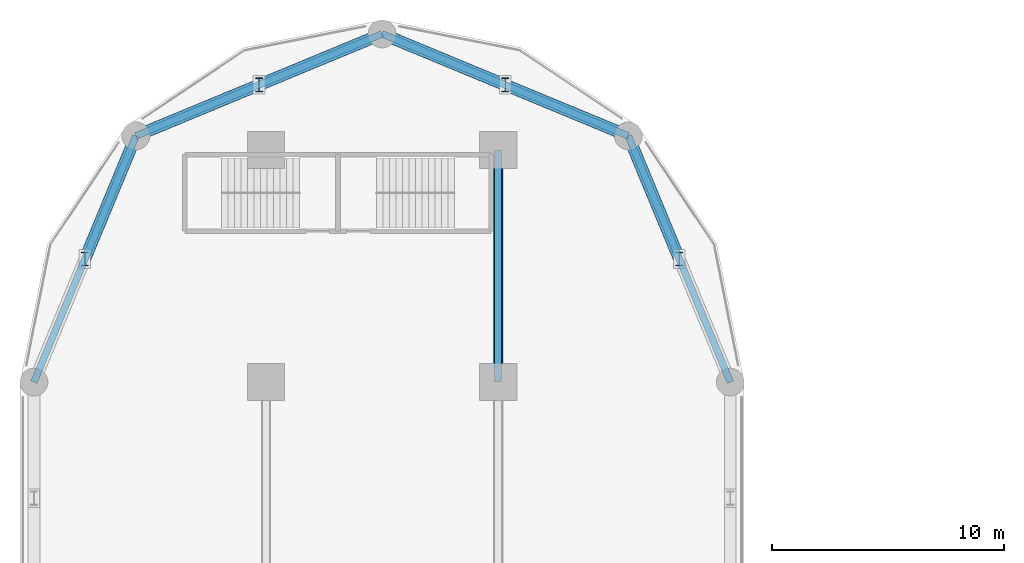
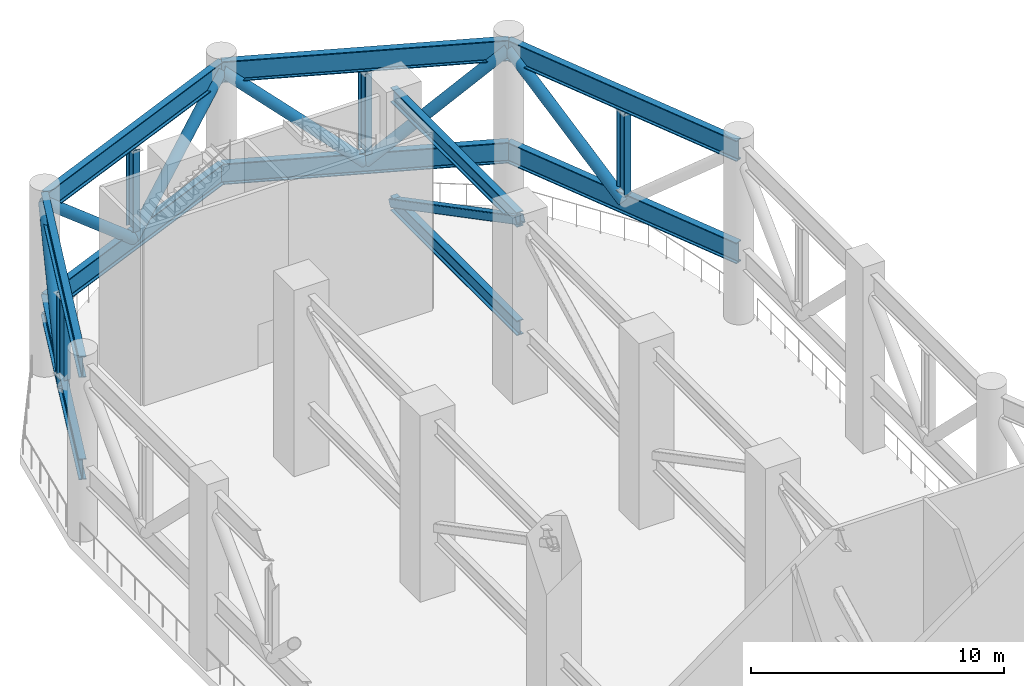
# One storey, part 6 of 14: 21 members.
"""IFC4 building model written with IfcOpenShell, lengths in metres."""

from ifc_helpers import new_model, si_unit, direction, frame, origin, origin_2d, place, context, subcontext, project, spatial, hollow_rectangle, hollow_circle, i_section, extrude, material, material_profile, profile_set, type_object, element, save


model = new_model("IFC4")

# Units and contexts
model_context = context("Model", 3, precision=1e-05, world=origin(), true_north=direction((0.0, 1.0)))
body_context = subcontext(model_context, "Body", "Model", "MODEL_VIEW")
ifc_project = project(units=[si_unit("LENGTHUNIT", "METRE"), si_unit("AREAUNIT", "SQUARE_METRE"), si_unit("VOLUMEUNIT", "CUBIC_METRE"), si_unit("PLANEANGLEUNIT", "RADIAN"), si_unit("MASSUNIT", "GRAM", prefix="KILO")], contexts=[model_context])

# Site, building, storey
site_placement = place(None, origin())
site = spatial("IfcSite", under=ifc_project, at=site_placement, CompositionType="ELEMENT")
building_placement = place(site_placement, origin())
building = spatial("IfcBuilding", under=site, at=building_placement, Name="Qaws Garden Tower", CompositionType="ELEMENT")
storey_placement = place(building_placement, frame((0.0, 0.0, 117.300048828125)))
storey = spatial("IfcBuildingStorey", under=building, at=storey_placement, Name="L29", CompositionType="ELEMENT", Elevation=117.300048828125)

# Members
ifc_material_1 = material(Name="Steel S355", Category="steel")
ifc_material_profile_1 = material_profile(ifc_material_1, i_section(OverallWidth=0.302001953125, OverallDepth=1.008056640625, WebThickness=0.02099609375, FlangeThickness=0.0400390625, FilletRadius=0.030029296875, at=origin_2d()), Name="HEM 1000")
ifc_profile_set_1 = profile_set([ifc_material_profile_1], Name="Steel S355")
member_type_1 = type_object("IfcMemberType", Name="Belt chord HEM 1000", PredefinedType="CHORD", material=ifc_profile_set_1)
for number, where, z_axis, x_axis, name in (
    (1, (30.0, 60.0, 8.0458984375), (-0.382674207535, 0.923883353507, 0.0), (-0.923883353507, -0.382674207535, 0.0), "Belt truss top chord 16"),
    (2, (30.0, 60.0, 3.10400390625), (-0.382674207535, 0.923883353507, 0.0), (-0.923883353507, -0.382674207535, 0.0), "Belt truss bottom chord 16"),
    (3, (25.606689453125, 70.606689453125, 8.0458984375), (-0.923883353507, 0.382674207535, 0.0), (-0.382674207535, -0.923883353507, 0.0), "Belt truss top chord 17"),
    (4, (25.606689453125, 70.606689453125, 3.10400390625), (-0.923883353507, 0.382674207535, 0.0), (-0.382674207535, -0.923883353507, 0.0), "Belt truss bottom chord 17"),
    (5, (15.0, 75.0, 8.0458984375), (-0.923883353507, -0.382674207535, 0.0), (0.382674207535, -0.923883353507, 0.0), "Belt truss top chord 18"),
    (6, (15.0, 75.0, 3.10400390625), (-0.923883353507, -0.382674207535, 0.0), (0.382674207535, -0.923883353507, 0.0), "Belt truss bottom chord 18"),
    (7, (4.393310546875, 70.606689453125, 8.0458984375), (-0.382674207535, -0.923883353507, 0.0), (0.923883353507, -0.382674207535, 0.0), "Belt truss top chord 19"),
    (8, (4.393310546875, 70.606689453125, 3.10400390625), (-0.382674207535, -0.923883353507, 0.0), (0.923883353507, -0.382674207535, 0.0), "Belt truss bottom chord 19"),
):
    element("IfcMember", number, at=place(storey_placement, frame(where, z_axis=z_axis, x_axis=x_axis)), inside=storey, type_object=member_type_1, Name=name, PredefinedType="CHORD", context=body_context, shape_type="SweptSolid", body=[
        extrude(i_section(OverallWidth=0.302001953125, OverallDepth=1.008056640625, WebThickness=0.02099609375, FlangeThickness=0.0400390625, FilletRadius=0.030029296875, at=origin_2d()), origin(), (0.0, 0.0, 1.0), 11.48046875),
    ])
ifc_material_2 = material(Name="Steel S355", Category="steel")
ifc_material_profile_2 = material_profile(ifc_material_2, hollow_circle(Radius=0.25390625, WallThickness=0.02490234375, at=origin_2d()), Name="CHS 508x25")
ifc_profile_set_2 = profile_set([ifc_material_profile_2], Name="Steel S355")
member_type_2 = type_object("IfcMemberType", Name="Belt diagonal CHS 508x25", PredefinedType="BRACE", material=ifc_profile_set_2)
for number, where, z_axis, x_axis, name in (
    (9, (27.80322265625, 65.30322265625, 3.10400390625), (-0.289988526042, 0.700169028699, 0.65243389398), (-0.92389398552, -0.382648537851, 0.0), "Belt truss diagonal 16b"),
    (10, (25.606689453125, 70.606689453125, 8.0458984375), (-0.700169028699, 0.289988526042, -0.65243389398), (-0.382648537851, -0.92389398552, 0.0), "Belt truss diagonal 17a"),
    (11, (20.30322265625, 72.80322265625, 3.10400390625), (-0.700146052841, 0.290024591818, 0.652442519179), (-0.382699877515, -0.923872720536, 0.0), "Belt truss diagonal 17b"),
    (12, (15.0, 75.0, 8.0458984375), (-0.700146052841, -0.290024591818, -0.652442519179), (0.382699877515, -0.923872720536, 0.0), "Belt truss diagonal 18a"),
    (13, (9.69677734375, 72.80322265625, 3.10400390625), (-0.700169028699, -0.289988526042, 0.65243389398), (0.382648537851, -0.92389398552, 0.0), "Belt truss diagonal 18b"),
    (14, (4.393310546875, 70.606689453125, 8.0458984375), (-0.289988526042, -0.700169028699, -0.65243389398), (0.92389398552, -0.382648537851, 0.0), "Belt truss diagonal 19a"),
):
    element("IfcMember", number, at=place(storey_placement, frame(where, z_axis=z_axis, x_axis=x_axis)), inside=storey, type_object=member_type_2, Name=name, PredefinedType="BRACE", context=body_context, shape_type="SweptSolid", body=[
        extrude(hollow_circle(Radius=0.25390625, WallThickness=0.02490234375, at=origin_2d()), origin(), (0.0, 0.0, 1.0), 7.574462890625),
    ])
ifc_material_3 = material(Name="Steel S355", Category="steel")
ifc_material_profile_3 = material_profile(ifc_material_3, i_section(OverallWidth=0.300048828125, OverallDepth=0.60009765625, WebThickness=0.015380859375, FlangeThickness=0.030029296875, FilletRadius=0.027099609375, at=origin_2d()), Name="HEB 600")
ifc_profile_set_3 = profile_set([ifc_material_profile_3], Name="Steel S355")
member_type_3 = type_object("IfcMemberType", Name="Belt post HEB 600", PredefinedType="POST", material=ifc_profile_set_3)
member_1_placement = place(storey_placement, frame((27.80322265625, 65.30322265625, 3.60791015625), z_axis=(0.0, 0.0, 1.0), x_axis=(1.0, 0.0, 0.0)))
element("IfcMember", 15, at=member_1_placement, inside=storey, type_object=member_type_3, Name="Belt truss post 16", PredefinedType="POST", context=body_context, shape_type="SweptSolid", body=[
    extrude(i_section(OverallWidth=0.300048828125, OverallDepth=0.60009765625, WebThickness=0.015380859375, FlangeThickness=0.030029296875, FilletRadius=0.027099609375, at=origin_2d()), origin(), (0.0, 0.0, 1.0), 3.93408203125),
])
member_2_placement = place(storey_placement, frame((20.30322265625, 72.80322265625, 3.60791015625), z_axis=(0.0, 0.0, 1.0), x_axis=(1.0, 0.0, 0.0)))
element("IfcMember", 16, at=member_2_placement, inside=storey, type_object=member_type_3, Name="Belt truss post 17", PredefinedType="POST", context=body_context, shape_type="SweptSolid", body=[
    extrude(i_section(OverallWidth=0.300048828125, OverallDepth=0.60009765625, WebThickness=0.015380859375, FlangeThickness=0.030029296875, FilletRadius=0.027099609375, at=origin_2d()), origin(), (0.0, 0.0, 1.0), 3.93408203125),
])
member_3_placement = place(storey_placement, frame((9.69677734375, 72.80322265625, 3.60791015625), z_axis=(0.0, 0.0, 1.0), x_axis=(1.0, 0.0, 0.0)))
element("IfcMember", 17, at=member_3_placement, inside=storey, type_object=member_type_3, Name="Belt truss post 18", PredefinedType="POST", context=body_context, shape_type="SweptSolid", body=[
    extrude(i_section(OverallWidth=0.300048828125, OverallDepth=0.60009765625, WebThickness=0.015380859375, FlangeThickness=0.030029296875, FilletRadius=0.027099609375, at=origin_2d()), origin(), (0.0, 0.0, 1.0), 3.93408203125),
])
member_4_placement = place(storey_placement, frame((2.19677734375, 65.30322265625, 3.60791015625), z_axis=(0.0, 0.0, 1.0), x_axis=(1.0, 0.0, 0.0)))
element("IfcMember", 18, at=member_4_placement, inside=storey, type_object=member_type_3, Name="Belt truss post 19", PredefinedType="POST", context=body_context, shape_type="SweptSolid", body=[
    extrude(i_section(OverallWidth=0.300048828125, OverallDepth=0.60009765625, WebThickness=0.015380859375, FlangeThickness=0.030029296875, FilletRadius=0.027099609375, at=origin_2d()), origin(), (0.0, 0.0, 1.0), 3.93408203125),
])
ifc_material_4 = material(Name="Steel S355", Category="steel")
ifc_material_profile_4 = material_profile(ifc_material_4, i_section(OverallWidth=0.303955078125, OverallDepth=0.716064453125, WebThickness=0.02099609375, FlangeThickness=0.0400390625, FilletRadius=0.027099609375, at=origin_2d()), Name="HEM 700")
ifc_profile_set_4 = profile_set([ifc_material_profile_4], Name="Steel S355")
member_type_4 = type_object("IfcMemberType", Name="Outrigger chord HEM 700", PredefinedType="CHORD", material=ifc_profile_set_4)
for number, where, z_axis, x_axis, name in (
    (19, (20.0, 60.0, 8.19189453125), (0.0, 1.0, 0.0), (-1.0, 0.0, 0.0), "Outrigger 4 top chord 5"),
    (20, (20.0, 60.0, 2.9580078125), (0.0, 1.0, 0.0), (-1.0, 0.0, 0.0), "Outrigger 4 bottom chord 5"),
):
    element("IfcMember", number, at=place(storey_placement, frame(where, z_axis=z_axis, x_axis=x_axis)), inside=storey, type_object=member_type_4, Name=name, PredefinedType="CHORD", context=body_context, shape_type="SweptSolid", body=[
        extrude(i_section(OverallWidth=0.303955078125, OverallDepth=0.716064453125, WebThickness=0.02099609375, FlangeThickness=0.0400390625, FilletRadius=0.027099609375, at=origin_2d()), origin(), (0.0, 0.0, 1.0), 10.0),
    ])
ifc_material_5 = material(Name="Steel S355", Category="steel")
ifc_material_profile_5 = material_profile(ifc_material_5, hollow_rectangle(XDim=0.39990234375, YDim=0.39990234375, WallThickness=0.02490234375, InnerFilletRadius=0.03759765625, OuterFilletRadius=0.0625, at=origin_2d()), Name="SHS 400x400x25")
ifc_profile_set_5 = profile_set([ifc_material_profile_5], Name="Steel S355")
member_type_5 = type_object("IfcMemberType", Name="Outrigger diagonal SHS 400x400x25", PredefinedType="BRACE", material=ifc_profile_set_5)
member_5_placement = place(storey_placement, frame((20.0, 60.0, 8.19189453125), z_axis=(0.0, 0.885984747812, -0.463714380459), x_axis=(-1.0, 0.0, 0.0)))
element("IfcMember", 21, at=member_5_placement, inside=storey, type_object=member_type_5, Name="Outrigger 4 diagonal 5", PredefinedType="BRACE", context=body_context, shape_type="SweptSolid", body=[
    extrude(hollow_rectangle(XDim=0.39990234375, YDim=0.39990234375, WallThickness=0.02490234375, InnerFilletRadius=0.03759765625, OuterFilletRadius=0.0625, at=origin_2d()), origin(), (0.0, 0.0, 1.0), 11.286865234375),
])

save(model, "model.ifc")
